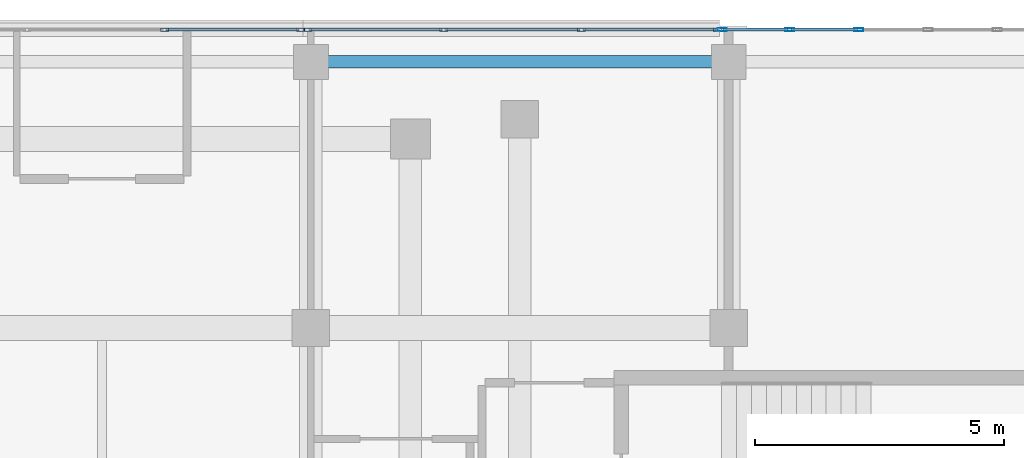
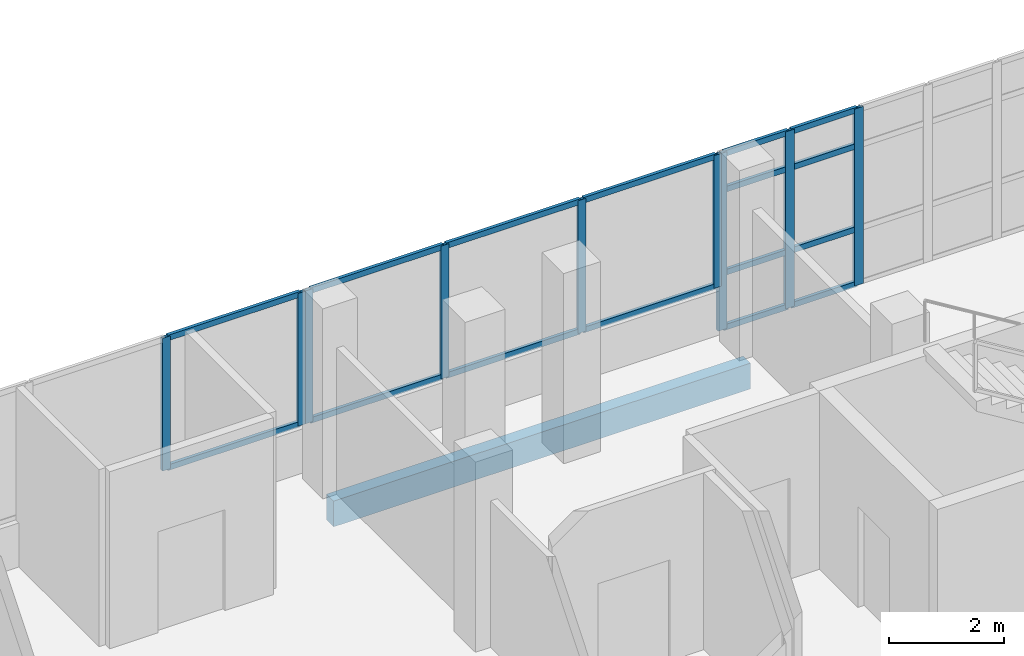
# One storey, part 46 of 101: 25 members, 1 beam, 3 elements without a shape of their own.
"""IFC4 building model written with IfcOpenShell, lengths in metres."""

from ifc_helpers import new_model, si_unit, direction, frame, origin, origin_2d, place, context, subcontext, project, spatial, rectangle, hollow_rectangle, extrude, material, material_profile, profile_set, type_object, element, aggregate, save


model = new_model("IFC4")

# Units and contexts
model_context = context("Model", 3, precision=1e-05, world=origin(), true_north=direction((0.0, 1.0)))
body_context = subcontext(model_context, "Body", "Model", "MODEL_VIEW")
ifc_project = project(units=[si_unit("LENGTHUNIT", "METRE"), si_unit("AREAUNIT", "SQUARE_METRE"), si_unit("VOLUMEUNIT", "CUBIC_METRE"), si_unit("PLANEANGLEUNIT", "RADIAN"), si_unit("MASSUNIT", "GRAM", prefix="KILO")], contexts=[model_context])

# Site, building, storey
site_placement = place(None, origin())
site = spatial("IfcSite", under=ifc_project, at=site_placement, CompositionType="ELEMENT")
building_placement = place(site_placement, origin())
building = spatial("IfcBuilding", under=site, at=building_placement, Name="Selatvlak General Hospital", CompositionType="ELEMENT")
storey_placement = place(building_placement, frame((0.0, 0.0, 19.199951171875)))
storey = spatial("IfcBuildingStorey", under=building, at=storey_placement, Name="L04", CompositionType="ELEMENT", Elevation=19.199951171875)

# Beam
ifc_material_1 = material(Name="Concrete C40/50", Category="concrete")
ifc_material_profile_1 = material_profile(ifc_material_1, rectangle(XDim=0.25, YDim=0.550048828125, at=origin_2d()), Name="RC-SP 250x550")
ifc_profile_set_1 = profile_set([ifc_material_profile_1], Name="Concrete C40/50")
beam_type = type_object("IfcBeamType", Name="BM-SP2", PredefinedType="SPANDREL", material=ifc_profile_set_1)
beam_placement = place(storey_placement, frame((81.60009765625, 119.35009765625, -0.579833984375), z_axis=(1.0, 0.0, 0.0), x_axis=(0.0, 1.0, 0.0)))
element("IfcBeam", 1, at=beam_placement, inside=storey, type_object=beam_type, Name="Beam BMR-L04-1633", PredefinedType="SPANDREL", context=body_context, shape_type="SweptSolid", body=[
    extrude(rectangle(XDim=0.25, YDim=0.550048828125, at=origin_2d()), origin(), (0.0, 0.0, 1.0), 8.39990234375),
])

# Curtain wall, members
ifc_material_2 = material(Name="Solar-control Low-E double glazing", Category="glass")
curtain_wall_type_1 = type_object("IfcCurtainWallType", Name="CW-CW-01", PredefinedType="USERDEFINED", material=ifc_material_2)
curtain_wall_1_placement = place(storey_placement, origin())
curtain_wall_1 = element("IfcCurtainWall", 2, at=curtain_wall_1_placement, inside=storey, type_object=curtain_wall_type_1, Name="Glazed facade curtain wall CW-L04-0487", ObjectType="UNITISED CURTAIN WALL", PredefinedType="USERDEFINED")
ifc_material_3 = material(Name="Dark anodised aluminium mullion", Category="aluminium")
ifc_material_profile_2 = material_profile(ifc_material_3, hollow_rectangle(XDim=0.06494140625, YDim=0.159912109375, WallThickness=0.00390625, at=origin_2d()), Name="AL-MUL 65x160x4")
ifc_profile_set_2 = profile_set([ifc_material_profile_2], Name="Dark anodised aluminium mullion")
member_type_1 = type_object("IfcMemberType", Name="CWM-01", PredefinedType="MULLION", material=ifc_profile_set_2)
member_1_placement = place(storey_placement, frame((78.658447265625, 119.9990234375, 0.93994140625), z_axis=(0.0, 0.0, 1.0), x_axis=(0.0, 1.0, 0.0)))
member_1 = element("IfcMember", 3, at=member_1_placement, type_object=member_type_1, Name="CW-01 mullion 3", PredefinedType="MULLION", context=body_context, shape_type="SweptSolid", body=[
    extrude(hollow_rectangle(XDim=0.06494140625, YDim=0.159912109375, WallThickness=0.00390625, at=origin_2d()), origin(), (0.0, 0.0, 1.0), 2.830078125),
])
member_2_placement = place(storey_placement, frame((81.392578125, 119.9990234375, 0.93994140625), z_axis=(0.0, 0.0, 1.0), x_axis=(0.0, 1.0, 0.0)))
member_2 = element("IfcMember", 4, at=member_2_placement, type_object=member_type_1, Name="CW-01 mullion 4", PredefinedType="MULLION", context=body_context, shape_type="SweptSolid", body=[
    extrude(hollow_rectangle(XDim=0.06494140625, YDim=0.159912109375, WallThickness=0.00390625, at=origin_2d()), origin(), (0.0, 0.0, 1.0), 2.830078125),
])

curtain_wall_type_2 = type_object("IfcCurtainWallType", Name="CW-CW-02", PredefinedType="USERDEFINED", material=ifc_material_2)
curtain_wall_2_placement = place(storey_placement, origin())
curtain_wall_2 = element("IfcCurtainWall", 5, at=curtain_wall_2_placement, inside=storey, type_object=curtain_wall_type_2, Name="Glazed facade curtain wall CW-L04-0488", ObjectType="UNITISED CURTAIN WALL", PredefinedType="USERDEFINED")
member_3_placement = place(storey_placement, frame((81.53759765625, 119.9990234375, 0.93994140625), z_axis=(0.0, 0.0, 1.0), x_axis=(0.0, 1.0, 0.0)))
member_3 = element("IfcMember", 6, at=member_3_placement, type_object=member_type_1, Name="CW-02 mullion 1", PredefinedType="MULLION", context=body_context, shape_type="SweptSolid", body=[
    extrude(hollow_rectangle(XDim=0.06494140625, YDim=0.159912109375, WallThickness=0.00390625, at=origin_2d()), origin(), (0.0, 0.0, 1.0), 2.830078125),
])
member_4_placement = place(storey_placement, frame((84.271728515625, 119.9990234375, 0.93994140625), z_axis=(0.0, 0.0, 1.0), x_axis=(0.0, 1.0, 0.0)))
member_4 = element("IfcMember", 7, at=member_4_placement, type_object=member_type_1, Name="CW-02 mullion 2", PredefinedType="MULLION", context=body_context, shape_type="SweptSolid", body=[
    extrude(hollow_rectangle(XDim=0.06494140625, YDim=0.159912109375, WallThickness=0.00390625, at=origin_2d()), origin(), (0.0, 0.0, 1.0), 2.830078125),
])
member_5_placement = place(storey_placement, frame((87.038330078125, 119.9990234375, 0.93994140625), z_axis=(0.0, 0.0, 1.0), x_axis=(0.0, 1.0, 0.0)))
member_5 = element("IfcMember", 8, at=member_5_placement, type_object=member_type_1, Name="CW-02 mullion 3", PredefinedType="MULLION", context=body_context, shape_type="SweptSolid", body=[
    extrude(hollow_rectangle(XDim=0.06494140625, YDim=0.159912109375, WallThickness=0.00390625, at=origin_2d()), origin(), (0.0, 0.0, 1.0), 2.830078125),
])
member_6_placement = place(storey_placement, frame((89.7724609375, 119.9990234375, 0.93994140625), z_axis=(0.0, 0.0, 1.0), x_axis=(0.0, 1.0, 0.0)))
member_6 = element("IfcMember", 9, at=member_6_placement, type_object=member_type_1, Name="CW-02 mullion 4", PredefinedType="MULLION", context=body_context, shape_type="SweptSolid", body=[
    extrude(hollow_rectangle(XDim=0.06494140625, YDim=0.159912109375, WallThickness=0.00390625, at=origin_2d()), origin(), (0.0, 0.0, 1.0), 2.830078125),
])

curtain_wall_type_3 = type_object("IfcCurtainWallType", Name="CW-CW-04", PredefinedType="USERDEFINED", material=ifc_material_2)
curtain_wall_3_placement = place(storey_placement, origin())
curtain_wall_3 = element("IfcCurtainWall", 10, at=curtain_wall_3_placement, inside=storey, type_object=curtain_wall_type_3, Name="Glazed facade curtain wall CW-L04-0489", ObjectType="STICK GLAZING WALL", PredefinedType="USERDEFINED")
ifc_material_profile_3 = material_profile(ifc_material_3, hollow_rectangle(XDim=0.06494140625, YDim=0.179931640625, WallThickness=0.00439453125, at=origin_2d()), Name="AL-MUL 65x180x4.5")
ifc_profile_set_3 = profile_set([ifc_material_profile_3], Name="Dark anodised aluminium mullion")
member_type_2 = type_object("IfcMemberType", Name="CWM-02", PredefinedType="MULLION", material=ifc_profile_set_3)
member_7_placement = place(storey_placement, frame((89.867431640625, 119.9990234375, 0.0), z_axis=(0.0, 0.0, 1.0), x_axis=(0.0, 1.0, 0.0)))
member_7 = element("IfcMember", 11, at=member_7_placement, type_object=member_type_2, Name="CW-04 mullion 1", PredefinedType="MULLION", context=body_context, shape_type="SweptSolid", body=[
    extrude(hollow_rectangle(XDim=0.06494140625, YDim=0.179931640625, WallThickness=0.00439453125, at=origin_2d()), origin(), (0.0, 0.0, 1.0), 3.77001953125),
])
member_8_placement = place(storey_placement, frame((91.2265625, 119.9990234375, 0.0), z_axis=(0.0, 0.0, 1.0), x_axis=(0.0, 1.0, 0.0)))
member_8 = element("IfcMember", 12, at=member_8_placement, type_object=member_type_2, Name="CW-04 mullion 2", PredefinedType="MULLION", context=body_context, shape_type="SweptSolid", body=[
    extrude(hollow_rectangle(XDim=0.06494140625, YDim=0.179931640625, WallThickness=0.00439453125, at=origin_2d()), origin(), (0.0, 0.0, 1.0), 3.77001953125),
])
member_9_placement = place(storey_placement, frame((92.618408203125, 119.9990234375, 0.0), z_axis=(0.0, 0.0, 1.0), x_axis=(0.0, 1.0, 0.0)))
member_9 = element("IfcMember", 13, at=member_9_placement, type_object=member_type_2, Name="CW-04 mullion 3", PredefinedType="MULLION", context=body_context, shape_type="SweptSolid", body=[
    extrude(hollow_rectangle(XDim=0.06494140625, YDim=0.179931640625, WallThickness=0.00439453125, at=origin_2d()), origin(), (0.0, 0.0, 1.0), 3.77001953125),
])

# Member
ifc_material_profile_4 = material_profile(ifc_material_3, hollow_rectangle(XDim=0.06494140625, YDim=0.1201171875, WallThickness=0.00390625, at=origin_2d()), Name="AL-TRN 65x120x4")
ifc_profile_set_4 = profile_set([ifc_material_profile_4], Name="Dark anodised aluminium mullion")
member_type_3 = type_object("IfcMemberType", Name="CWT-01", PredefinedType="USERDEFINED", material=ifc_profile_set_4)
member_10_placement = place(storey_placement, frame((78.69091796875, 119.9990234375, 0.97265625), z_axis=(1.0, 0.0, 0.0), x_axis=(0.0, 1.0, 0.0)))
member_10 = element("IfcMember", 14, at=member_10_placement, type_object=member_type_3, Name="CW-01 transom 3.1", ObjectType="TRANSOM", PredefinedType="USERDEFINED", context=body_context, shape_type="SweptSolid", body=[
    extrude(hollow_rectangle(XDim=0.06494140625, YDim=0.1201171875, WallThickness=0.00390625, at=origin_2d()), origin(), (0.0, 0.0, 1.0), 2.669189453125),
])

member_11_placement = place(storey_placement, frame((78.69091796875, 119.9990234375, 3.737548828125), z_axis=(1.0, 0.0, 0.0), x_axis=(0.0, 1.0, 0.0)))
member_11 = element("IfcMember", 15, at=member_11_placement, type_object=member_type_3, Name="CW-01 transom 3.2", ObjectType="TRANSOM", PredefinedType="USERDEFINED", context=body_context, shape_type="SweptSolid", body=[
    extrude(hollow_rectangle(XDim=0.06494140625, YDim=0.1201171875, WallThickness=0.00390625, at=origin_2d()), origin(), (0.0, 0.0, 1.0), 2.669189453125),
])

aggregate(curtain_wall_1, [member_1, member_2, member_10, member_11])

member_12_placement = place(storey_placement, frame((81.570068359375, 119.9990234375, 0.97265625), z_axis=(1.0, 0.0, 0.0), x_axis=(0.0, 1.0, 0.0)))
member_12 = element("IfcMember", 16, at=member_12_placement, type_object=member_type_3, Name="CW-02 transom 1.1", ObjectType="TRANSOM", PredefinedType="USERDEFINED", context=body_context, shape_type="SweptSolid", body=[
    extrude(hollow_rectangle(XDim=0.06494140625, YDim=0.1201171875, WallThickness=0.00390625, at=origin_2d()), origin(), (0.0, 0.0, 1.0), 2.669189453125),
])

member_13_placement = place(storey_placement, frame((81.570068359375, 119.9990234375, 3.737548828125), z_axis=(1.0, 0.0, 0.0), x_axis=(0.0, 1.0, 0.0)))
member_13 = element("IfcMember", 17, at=member_13_placement, type_object=member_type_3, Name="CW-02 transom 1.2", ObjectType="TRANSOM", PredefinedType="USERDEFINED", context=body_context, shape_type="SweptSolid", body=[
    extrude(hollow_rectangle(XDim=0.06494140625, YDim=0.1201171875, WallThickness=0.00390625, at=origin_2d()), origin(), (0.0, 0.0, 1.0), 2.669189453125),
])

member_14_placement = place(storey_placement, frame((84.30419921875, 119.9990234375, 0.97265625), z_axis=(1.0, 0.0, 0.0), x_axis=(0.0, 1.0, 0.0)))
member_14 = element("IfcMember", 18, at=member_14_placement, type_object=member_type_3, Name="CW-02 transom 2.1", ObjectType="TRANSOM", PredefinedType="USERDEFINED", context=body_context, shape_type="SweptSolid", body=[
    extrude(hollow_rectangle(XDim=0.06494140625, YDim=0.1201171875, WallThickness=0.00390625, at=origin_2d()), origin(), (0.0, 0.0, 1.0), 2.70166015625),
])

member_15_placement = place(storey_placement, frame((84.30419921875, 119.9990234375, 3.737548828125), z_axis=(1.0, 0.0, 0.0), x_axis=(0.0, 1.0, 0.0)))
member_15 = element("IfcMember", 19, at=member_15_placement, type_object=member_type_3, Name="CW-02 transom 2.2", ObjectType="TRANSOM", PredefinedType="USERDEFINED", context=body_context, shape_type="SweptSolid", body=[
    extrude(hollow_rectangle(XDim=0.06494140625, YDim=0.1201171875, WallThickness=0.00390625, at=origin_2d()), origin(), (0.0, 0.0, 1.0), 2.70166015625),
])

member_16_placement = place(storey_placement, frame((87.07080078125, 119.9990234375, 0.97265625), z_axis=(1.0, 0.0, 0.0), x_axis=(0.0, 1.0, 0.0)))
member_16 = element("IfcMember", 20, at=member_16_placement, type_object=member_type_3, Name="CW-02 transom 3.1", ObjectType="TRANSOM", PredefinedType="USERDEFINED", context=body_context, shape_type="SweptSolid", body=[
    extrude(hollow_rectangle(XDim=0.06494140625, YDim=0.1201171875, WallThickness=0.00390625, at=origin_2d()), origin(), (0.0, 0.0, 1.0), 2.669189453125),
])

member_17_placement = place(storey_placement, frame((87.07080078125, 119.9990234375, 3.737548828125), z_axis=(1.0, 0.0, 0.0), x_axis=(0.0, 1.0, 0.0)))
member_17 = element("IfcMember", 21, at=member_17_placement, type_object=member_type_3, Name="CW-02 transom 3.2", ObjectType="TRANSOM", PredefinedType="USERDEFINED", context=body_context, shape_type="SweptSolid", body=[
    extrude(hollow_rectangle(XDim=0.06494140625, YDim=0.1201171875, WallThickness=0.00390625, at=origin_2d()), origin(), (0.0, 0.0, 1.0), 2.669189453125),
])

aggregate(curtain_wall_2, [member_3, member_4, member_5, member_6, member_12, member_13, member_14, member_15, member_16, member_17])

member_18_placement = place(storey_placement, frame((89.89990234375, 119.9990234375, 0.032470703125), z_axis=(1.0, 0.0, 0.0), x_axis=(0.0, 1.0, 0.0)))
member_18 = element("IfcMember", 22, at=member_18_placement, type_object=member_type_3, Name="CW-04 transom 1.1", ObjectType="TRANSOM", PredefinedType="USERDEFINED", context=body_context, shape_type="SweptSolid", body=[
    extrude(hollow_rectangle(XDim=0.06494140625, YDim=0.1201171875, WallThickness=0.00390625, at=origin_2d()), origin(), (0.0, 0.0, 1.0), 1.294189453125),
])

member_19_placement = place(storey_placement, frame((89.89990234375, 119.9990234375, 1.199951171875), z_axis=(1.0, 0.0, 0.0), x_axis=(0.0, 1.0, 0.0)))
member_19 = element("IfcMember", 23, at=member_19_placement, type_object=member_type_3, Name="CW-04 transom 1.2", ObjectType="TRANSOM", PredefinedType="USERDEFINED", context=body_context, shape_type="SweptSolid", body=[
    extrude(hollow_rectangle(XDim=0.06494140625, YDim=0.1201171875, WallThickness=0.00390625, at=origin_2d()), origin(), (0.0, 0.0, 1.0), 1.294189453125),
])

member_20_placement = place(storey_placement, frame((89.89990234375, 119.9990234375, 2.969970703125), z_axis=(1.0, 0.0, 0.0), x_axis=(0.0, 1.0, 0.0)))
member_20 = element("IfcMember", 24, at=member_20_placement, type_object=member_type_3, Name="CW-04 transom 1.3", ObjectType="TRANSOM", PredefinedType="USERDEFINED", context=body_context, shape_type="SweptSolid", body=[
    extrude(hollow_rectangle(XDim=0.06494140625, YDim=0.1201171875, WallThickness=0.00390625, at=origin_2d()), origin(), (0.0, 0.0, 1.0), 1.294189453125),
])

member_21_placement = place(storey_placement, frame((89.89990234375, 119.9990234375, 3.737548828125), z_axis=(1.0, 0.0, 0.0), x_axis=(0.0, 1.0, 0.0)))
member_21 = element("IfcMember", 25, at=member_21_placement, type_object=member_type_3, Name="CW-04 transom 1.4", ObjectType="TRANSOM", PredefinedType="USERDEFINED", context=body_context, shape_type="SweptSolid", body=[
    extrude(hollow_rectangle(XDim=0.06494140625, YDim=0.1201171875, WallThickness=0.00390625, at=origin_2d()), origin(), (0.0, 0.0, 1.0), 1.294189453125),
])

member_22_placement = place(storey_placement, frame((91.25927734375, 119.9990234375, 0.032470703125), z_axis=(1.0, 0.0, 0.0), x_axis=(0.0, 1.0, 0.0)))
member_22 = element("IfcMember", 26, at=member_22_placement, type_object=member_type_3, Name="CW-04 transom 2.1", ObjectType="TRANSOM", PredefinedType="USERDEFINED", context=body_context, shape_type="SweptSolid", body=[
    extrude(hollow_rectangle(XDim=0.06494140625, YDim=0.1201171875, WallThickness=0.00390625, at=origin_2d()), origin(), (0.0, 0.0, 1.0), 1.32666015625),
])

member_23_placement = place(storey_placement, frame((91.25927734375, 119.9990234375, 1.199951171875), z_axis=(1.0, 0.0, 0.0), x_axis=(0.0, 1.0, 0.0)))
member_23 = element("IfcMember", 27, at=member_23_placement, type_object=member_type_3, Name="CW-04 transom 2.2", ObjectType="TRANSOM", PredefinedType="USERDEFINED", context=body_context, shape_type="SweptSolid", body=[
    extrude(hollow_rectangle(XDim=0.06494140625, YDim=0.1201171875, WallThickness=0.00390625, at=origin_2d()), origin(), (0.0, 0.0, 1.0), 1.32666015625),
])

member_24_placement = place(storey_placement, frame((91.25927734375, 119.9990234375, 2.969970703125), z_axis=(1.0, 0.0, 0.0), x_axis=(0.0, 1.0, 0.0)))
member_24 = element("IfcMember", 28, at=member_24_placement, type_object=member_type_3, Name="CW-04 transom 2.3", ObjectType="TRANSOM", PredefinedType="USERDEFINED", context=body_context, shape_type="SweptSolid", body=[
    extrude(hollow_rectangle(XDim=0.06494140625, YDim=0.1201171875, WallThickness=0.00390625, at=origin_2d()), origin(), (0.0, 0.0, 1.0), 1.32666015625),
])

member_25_placement = place(storey_placement, frame((91.25927734375, 119.9990234375, 3.737548828125), z_axis=(1.0, 0.0, 0.0), x_axis=(0.0, 1.0, 0.0)))
member_25 = element("IfcMember", 29, at=member_25_placement, type_object=member_type_3, Name="CW-04 transom 2.4", ObjectType="TRANSOM", PredefinedType="USERDEFINED", context=body_context, shape_type="SweptSolid", body=[
    extrude(hollow_rectangle(XDim=0.06494140625, YDim=0.1201171875, WallThickness=0.00390625, at=origin_2d()), origin(), (0.0, 0.0, 1.0), 1.32666015625),
])

aggregate(curtain_wall_3, [member_7, member_8, member_9, member_18, member_19, member_20, member_21, member_22, member_23, member_24, member_25])

save(model, "model.ifc")
